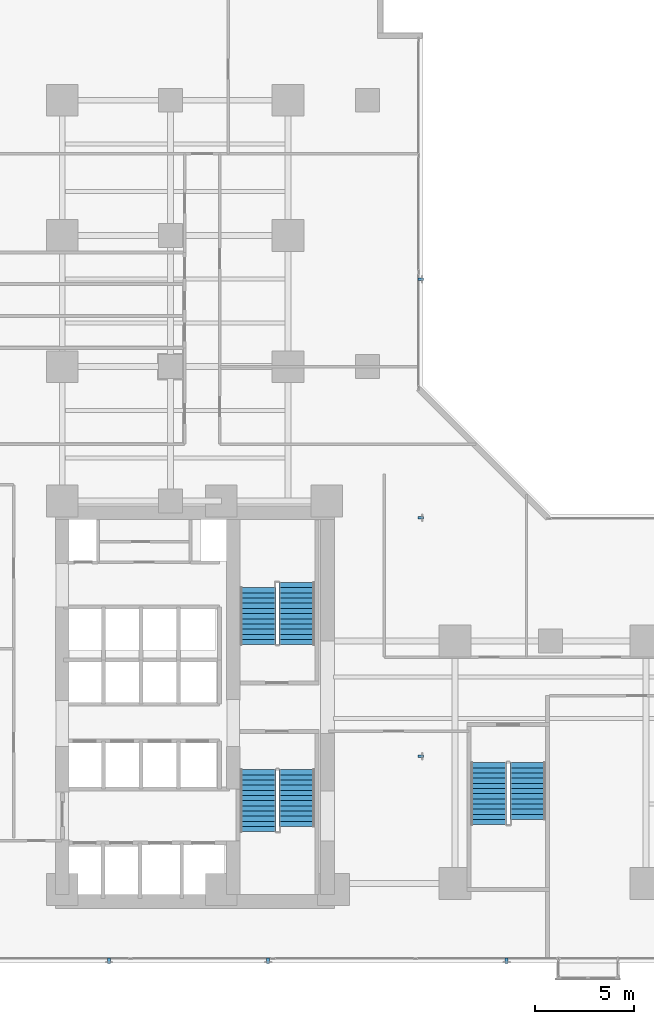
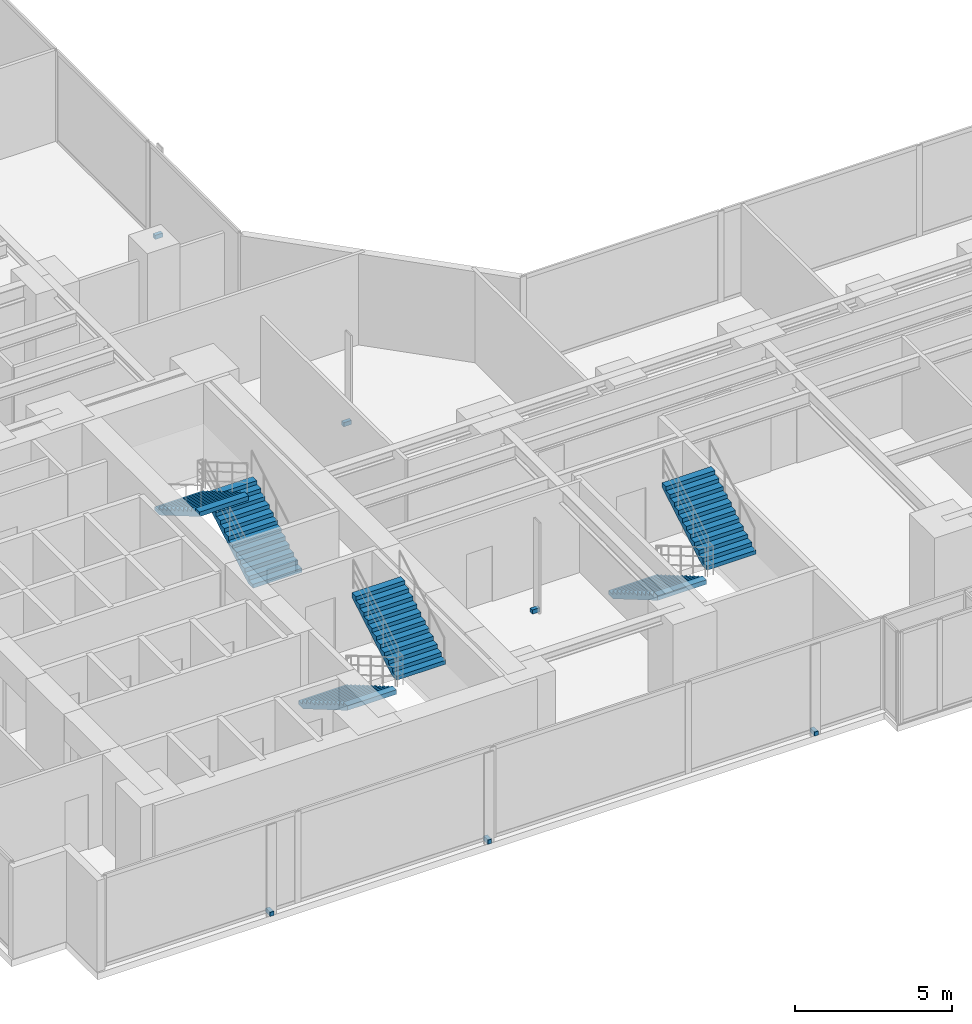
# One storey, part 26 of 30: 6 discrete accessories, 6 stair flights, 3 elements without a shape of their own.
"""IFC4 building model written with IfcOpenShell, lengths in metres."""

import ifcopenshell
import ifcopenshell.guid

model = None  # the IFC model being written
_history = None  # IfcOwnerHistory: only IFC2X3 demands one
_inside = {}  # id of a spatial element -> (the spatial element, [elements in it])
_under = {}  # id of a project, library or spatial element -> (it, [spatial elements below it])
_declared = {}  # id of a project -> (the project, [libraries it declares])
_typed = {}  # id of a type object -> (the type object, [elements of that type])
_made_of = {}  # id of a material, layer set ... -> (it, [elements and type objects made of it])


def new_model(schema):
    """Start an empty IFC model of exactly this schema.

    Asked for "IFC4X3", IfcOpenShell would pick the latest addendum, in which some entities
    have other attributes; the version numbers below select the first issue.
    IFC2X3 requires an IfcOwnerHistory on every rooted entity: one is made here for all.
    """
    global model, _history
    if schema == "IFC4X3":
        model = ifcopenshell.file(schema_version=(4, 3, 0, 0))
    else:
        model = ifcopenshell.file(schema=schema)
    _inside.clear()
    _under.clear()
    _declared.clear()
    _typed.clear()
    _made_of.clear()
    _history = None
    if model.schema == "IFC2X3":
        org = make("IfcOrganization", Name="unknown")
        user = make(
            "IfcPersonAndOrganization",
            ThePerson=make("IfcPerson", FamilyName="unknown"),
            TheOrganization=org,
        )
        app = make(
            "IfcApplication",
            ApplicationDeveloper=org,
            Version="unknown",
            ApplicationFullName="unknown",
            ApplicationIdentifier="unknown",
        )
        _history = make(
            "IfcOwnerHistory",
            OwningUser=user,
            OwningApplication=app,
            ChangeAction="ADDED",
            CreationDate=0,
        )
    return model


def make(cls, **values):
    """One entity of the class cls with the attributes given. An attribute that is None is left unset."""
    return model.create_entity(
        cls, **{name: value for name, value in values.items() if value is not None}
    )


def rooted(cls, **values):
    """An entity with a GlobalId (a new one), such as an element, a storey or a relation."""
    return make(cls, GlobalId=ifcopenshell.guid.new(), OwnerHistory=_history, **values)


def si_unit(unit_type, name, prefix=None):
    """IfcSIUnit, for example si_unit("LENGTHUNIT", "METRE", prefix="MILLI")."""
    return make("IfcSIUnit", UnitType=unit_type, Prefix=prefix, Name=name)


def assignment(units):
    """IfcUnitAssignment: the units of a project."""
    return None if units is None else make("IfcUnitAssignment", Units=units)


def point(xyz):
    """IfcCartesianPoint."""
    return None if xyz is None else make("IfcCartesianPoint", Coordinates=xyz)


def direction(xyz):
    """IfcDirection."""
    return None if xyz is None else make("IfcDirection", DirectionRatios=xyz)


def frame(location, z_axis=None, x_axis=None):
    """IfcAxis2Placement3D, a coordinate frame: its origin and axes. An axis left out is left unset."""
    return make(
        "IfcAxis2Placement3D",
        Location=point(location),
        Axis=direction(z_axis),
        RefDirection=direction(x_axis),
    )


def frame_2d(location, x_axis=None):
    """IfcAxis2Placement2D, a coordinate frame in the plane: its origin and x axis."""
    return make(
        "IfcAxis2Placement2D", Location=point(location), RefDirection=direction(x_axis)
    )


def origin():
    """The frame at (0, 0, 0) with its axes left unset."""
    return frame((0.0, 0.0, 0.0))


def origin_with_axes():
    """The frame at (0, 0, 0) with the z axis (0, 0, 1) and the x axis (1, 0, 0) written out."""
    return frame((0.0, 0.0, 0.0), z_axis=(0.0, 0.0, 1.0), x_axis=(1.0, 0.0, 0.0))


def origin_2d():
    """The frame at (0, 0) in the plane with its x axis left unset."""
    return frame_2d((0.0, 0.0))


def place(relative_to, where):
    """IfcLocalPlacement: puts the frame where relative to a parent placement (None: the world)."""
    return make(
        "IfcLocalPlacement", PlacementRelTo=relative_to, RelativePlacement=where
    )


def context(
    kind, dimensions, precision=None, world=None, true_north=None, identifier=None
):
    """IfcGeometricRepresentationContext, for example the 3D "Model" context."""
    return make(
        "IfcGeometricRepresentationContext",
        ContextIdentifier=identifier,
        ContextType=kind,
        CoordinateSpaceDimension=dimensions,
        Precision=precision,
        WorldCoordinateSystem=world,
        TrueNorth=true_north,
    )


def subcontext(parent, identifier, kind, view, scale=None):
    """IfcGeometricRepresentationSubContext, for example "Body" below "Model"."""
    return make(
        "IfcGeometricRepresentationSubContext",
        ContextIdentifier=identifier,
        ContextType=kind,
        ParentContext=parent,
        TargetScale=scale,
        TargetView=view,
    )


def project(units=None, contexts=None):
    """IfcProject with its units and contexts."""
    return rooted(
        "IfcProject",
        Name="project",
        RepresentationContexts=contexts,
        UnitsInContext=assignment(units),
    )


def spatial(cls, under=None, at=None, **own):
    """A site, building, storey or space (cls), placed at a placement, below another one or the project."""
    s = rooted(cls, ObjectPlacement=at, **own)
    if under is not None:
        _under.setdefault(under.id(), (under, []))[1].append(s)
    return s


def polyline(points):
    """IfcPolyline through the points."""
    return make("IfcPolyline", Points=[point(p) for p in points])


def profile(cls, at=None, kind="AREA", **sizes):
    """A parametric profile (cls). Its sizes go by their IFC names, for example OverallWidth=200.0."""
    return make(cls, ProfileType=kind, Position=at, **sizes)


def rectangle(**sizes):
    """IfcRectangleProfileDef."""
    return profile("IfcRectangleProfileDef", **sizes)


def outline(outer, holes=None, kind="AREA"):
    """IfcArbitraryClosedProfileDef: a profile drawn as a closed curve; with holes, ...WithVoids."""
    if holes is None:
        return make("IfcArbitraryClosedProfileDef", ProfileType=kind, OuterCurve=outer)
    return make(
        "IfcArbitraryProfileDefWithVoids",
        ProfileType=kind,
        OuterCurve=outer,
        InnerCurves=holes,
    )


def extrude(swept, where, along, depth):
    """IfcExtrudedAreaSolid: the profile swept, set in the frame where, extruded along a direction by depth."""
    return make(
        "IfcExtrudedAreaSolid",
        SweptArea=swept,
        Position=where,
        ExtrudedDirection=direction(along),
        Depth=depth,
    )


def shape(context_of_items, identifier, shape_type, items):
    """IfcShapeRepresentation: the items that make up one representation, for example the "Body"."""
    return make(
        "IfcShapeRepresentation",
        ContextOfItems=context_of_items,
        RepresentationIdentifier=identifier,
        RepresentationType=shape_type,
        Items=items,
    )


def source(mapping_origin, context_of_items, identifier, shape_type, items):
    """IfcRepresentationMap: a shape defined once, which mapped items show again and again."""
    return make(
        "IfcRepresentationMap",
        MappingOrigin=mapping_origin,
        MappedRepresentation=shape(context_of_items, identifier, shape_type, items),
    )


def transform(
    local_origin,
    x_axis=None,
    y_axis=None,
    z_axis=None,
    scale=None,
    scale2=None,
    scale3=None,
    uniform=True,
):
    """IfcCartesianTransformationOperator3D, or its non-uniform kind. x_axis, y_axis, z_axis: its Axis1, 2, 3."""
    if uniform:
        return make(
            "IfcCartesianTransformationOperator3D",
            Axis1=direction(x_axis),
            Axis2=direction(y_axis),
            LocalOrigin=point(local_origin),
            Scale=scale,
            Axis3=direction(z_axis),
        )
    return make(
        "IfcCartesianTransformationOperator3DnonUniform",
        Axis1=direction(x_axis),
        Axis2=direction(y_axis),
        LocalOrigin=point(local_origin),
        Scale=scale,
        Axis3=direction(z_axis),
        Scale2=scale2,
        Scale3=scale3,
    )


def mapped(mapping_source, mapping_target):
    """IfcMappedItem: shows the shape of a source again, moved by a transform."""
    return make(
        "IfcMappedItem", MappingSource=mapping_source, MappingTarget=mapping_target
    )


def material(Name=None, Category=None):
    """IfcMaterial."""
    return make("IfcMaterial", Name=Name, Category=Category)


def made_of(thing, what):
    """Note that an element or type object is made of a material, layer set ...; save() writes the relation."""
    if what is not None:
        _made_of.setdefault(what.id(), (what, []))[1].append(thing)
    return thing


def type_object(cls, material=None, **own):
    """A type object (cls), such as IfcWallType, which elements share."""
    return made_of(rooted(cls, **own), material)


def element(
    cls,
    number,
    at=None,
    inside=None,
    cuts=None,
    type_object=None,
    material=None,
    context=None,
    identifier="Body",
    shape_type=None,
    held_by="IfcProductDefinitionShape",
    body=None,
    shapes=None,
    **own,
):
    """One element of the class cls, such as IfcWall. Its Tag is "e" and its number.

    at: its placement. inside: the storey or other place that contains it. cuts: it is an
    opening in that element (IfcRelVoidsElement). A single representation is given by context,
    identifier, shape_type and body (its items); several are given by shapes. held_by: the class
    of the entity that holds the representations. save() writes the other relations.
    """
    e = rooted(cls, Tag="e%d" % number, ObjectPlacement=at, **own)
    if body is not None:
        shapes = [shape(context, identifier, shape_type, body)]
    if shapes is not None:
        e.Representation = make(held_by, Representations=shapes)
    if inside is not None:
        _inside.setdefault(inside.id(), (inside, []))[1].append(e)
    if cuts is not None:
        rooted(
            "IfcRelVoidsElement", RelatingBuildingElement=cuts, RelatedOpeningElement=e
        )
    if type_object is not None:
        _typed.setdefault(type_object.id(), (type_object, []))[1].append(e)
    return made_of(e, material)


def aggregate(whole, parts):
    """IfcRelAggregates: a whole, such as a stair, and the parts it consists of."""
    return rooted("IfcRelAggregates", RelatingObject=whole, RelatedObjects=parts)


def save(model, path):
    """Write the relations noted so far, then the file.

    IfcRelAggregates (storeys below a building ...), IfcRelContainedInSpatialStructure (elements
    in a storey), IfcRelDefinesByType, IfcRelAssociatesMaterial and IfcRelDeclares: one each for
    every whole, place, type object, material and project.
    """
    for whole, parts in _under.values():
        aggregate(whole, parts)
    for where, things in _inside.values():
        rooted(
            "IfcRelContainedInSpatialStructure",
            RelatedElements=things,
            RelatingStructure=where,
        )
    for kind, things in _typed.values():
        rooted("IfcRelDefinesByType", RelatedObjects=things, RelatingType=kind)
    for what, things in _made_of.values():
        rooted("IfcRelAssociatesMaterial", RelatedObjects=things, RelatingMaterial=what)
    for by, libraries in _declared.values():
        rooted("IfcRelDeclares", RelatingContext=by, RelatedDefinitions=libraries)
    model.write(path)


model = new_model("IFC4")

# Units and contexts
model_context = context("Model", 3, precision=1e-05, world=origin(), true_north=direction((0.0, 1.0)))
body_context = subcontext(model_context, "Body", "Model", "MODEL_VIEW")
ifc_project = project(units=[si_unit("LENGTHUNIT", "METRE"), si_unit("AREAUNIT", "SQUARE_METRE"), si_unit("VOLUMEUNIT", "CUBIC_METRE"), si_unit("PLANEANGLEUNIT", "RADIAN"), si_unit("MASSUNIT", "GRAM", prefix="KILO")], contexts=[model_context])

# Site, building, storey
site_placement = place(None, origin())
site = spatial("IfcSite", under=ifc_project, at=site_placement, CompositionType="ELEMENT")
building_placement = place(site_placement, origin())
building = spatial("IfcBuilding", under=site, at=building_placement, Name="Kolvaren Waterfront Exchange", CompositionType="ELEMENT")
storey_placement = place(building_placement, frame((0.0, 0.0, 52.39990234375)))
storey = spatial("IfcBuildingStorey", under=building, at=storey_placement, Name="L13", CompositionType="ELEMENT", Elevation=52.39990234375)

# Stair, stair flights
ifc_material_1 = material(Name="Concrete C40/50", Category="concrete")
stair_type = type_object("IfcStairType", Name="ARC-STAIR-3800", PredefinedType="HALF_TURN_STAIR", material=ifc_material_1)
stair_1_placement = place(storey_placement, origin())
stair_1 = element("IfcStair", 1, at=stair_1_placement, inside=storey, type_object=stair_type, Name="L13 Smoke-proof exit stair ST1", PredefinedType="HALF_TURN_STAIR")
stair_flight_type = type_object("IfcStairFlightType", Name="ARC-FLIGHT-3800", PredefinedType="STRAIGHT", material=ifc_material_1)
stair_flight_1_placement = place(storey_placement, frame((17.300048828125, 10.929931640625, 0.0), z_axis=(0.0, 0.0, 1.0), x_axis=(0.0, -1.0, 0.0)))
stair_flight_1 = element("IfcStairFlight", 2, at=stair_flight_1_placement, type_object=stair_flight_type, Name="ST1 flight 1", NumberOfRisers=13, NumberOfTreads=12, PredefinedType="STRAIGHT", RiserHeight=0.152, TreadLength=0.26, context=body_context, shape_type="SweptSolid", body=[
    extrude(outline(polyline([(0.0, 0.0), (0.0, 0.152099609375), (0.260009765625, 0.152099609375), (0.260009765625, 0.303955078125), (0.52001953125, 0.303955078125), (0.52001953125, 0.4560546875), (0.780029296875, 0.4560546875), (0.780029296875, 0.60791015625), (1.0400390625, 0.60791015625), (1.0400390625, 0.760009765625), (1.300048828125, 0.760009765625), (1.300048828125, 0.912109375), (1.56005859375, 0.912109375), (1.56005859375, 1.06396484375), (1.820068359375, 1.06396484375), (1.820068359375, 1.216064453125), (2.080078125, 1.216064453125), (2.080078125, 1.367919921875), (2.340087890625, 1.367919921875), (2.340087890625, 1.52001953125), (2.60009765625, 1.52001953125), (2.60009765625, 1.672119140625), (2.860107421875, 1.672119140625), (2.860107421875, 1.823974609375), (3.1201171875, 1.823974609375), (3.1201171875, 1.97607421875), (3.1201171875, 1.650390625), (0.297119140625, 0.0), (0.0, 0.0)])), frame((0.0, 0.89990234375, 0.0), z_axis=(0.0, -1.0, 0.0), x_axis=(1.0, 0.0, 0.0)), (0.0, 0.0, 1.0), 1.800048828125),
])
stair_flight_2_placement = place(storey_placement, frame((19.260009765625, 8.070068359375, 1.97607421875), z_axis=(0.0, 0.0, 1.0), x_axis=(0.0, 1.0, 0.0)))
stair_flight_2 = element("IfcStairFlight", 3, at=stair_flight_2_placement, type_object=stair_flight_type, Name="ST1 flight 2", NumberOfRisers=12, NumberOfTreads=11, PredefinedType="STRAIGHT", RiserHeight=0.152, TreadLength=0.26, context=body_context, shape_type="SweptSolid", body=[
    extrude(outline(polyline([(0.0, 0.0), (0.0, 0.152099609375), (0.260009765625, 0.152099609375), (0.260009765625, 0.303955078125), (0.52001953125, 0.303955078125), (0.52001953125, 0.4560546875), (0.780029296875, 0.4560546875), (0.780029296875, 0.60791015625), (1.0400390625, 0.60791015625), (1.0400390625, 0.760009765625), (1.300048828125, 0.760009765625), (1.300048828125, 0.912109375), (1.56005859375, 0.912109375), (1.56005859375, 1.06396484375), (1.820068359375, 1.06396484375), (1.820068359375, 1.216064453125), (2.080078125, 1.216064453125), (2.080078125, 1.367919921875), (2.340087890625, 1.367919921875), (2.340087890625, 1.52001953125), (2.60009765625, 1.52001953125), (2.60009765625, 1.672119140625), (2.860107421875, 1.672119140625), (2.860107421875, 1.823974609375), (2.860107421875, 1.498291015625), (0.297119140625, 0.0), (0.0, 0.0)])), frame((0.0, 0.89990234375, 0.0), z_axis=(0.0, -1.0, 0.0), x_axis=(1.0, 0.0, 0.0)), (0.0, 0.0, 1.0), 1.800048828125),
])
aggregate(stair_1, [stair_flight_1, stair_flight_2])

stair_2_placement = place(storey_placement, origin())
stair_2 = element("IfcStair", 4, at=stair_2_placement, inside=storey, type_object=stair_type, Name="L13 Smoke-proof exit stair ST2", PredefinedType="HALF_TURN_STAIR")
stair_flight_3_placement = place(storey_placement, frame((19.260009765625, 17.219970703125, 0.0), z_axis=(0.0, 0.0, 1.0), x_axis=(0.0, 1.0, 0.0)))
stair_flight_3 = element("IfcStairFlight", 5, at=stair_flight_3_placement, type_object=stair_flight_type, Name="ST2 flight 1", NumberOfRisers=13, NumberOfTreads=12, PredefinedType="STRAIGHT", RiserHeight=0.152, TreadLength=0.26, context=body_context, shape_type="SweptSolid", body=[
    extrude(outline(polyline([(0.0, 0.0), (0.0, 0.152099609375), (0.260009765625, 0.152099609375), (0.260009765625, 0.303955078125), (0.52001953125, 0.303955078125), (0.52001953125, 0.4560546875), (0.780029296875, 0.4560546875), (0.780029296875, 0.60791015625), (1.0400390625, 0.60791015625), (1.0400390625, 0.760009765625), (1.300048828125, 0.760009765625), (1.300048828125, 0.912109375), (1.56005859375, 0.912109375), (1.56005859375, 1.06396484375), (1.820068359375, 1.06396484375), (1.820068359375, 1.216064453125), (2.080078125, 1.216064453125), (2.080078125, 1.367919921875), (2.340087890625, 1.367919921875), (2.340087890625, 1.52001953125), (2.60009765625, 1.52001953125), (2.60009765625, 1.672119140625), (2.860107421875, 1.672119140625), (2.860107421875, 1.823974609375), (3.1201171875, 1.823974609375), (3.1201171875, 1.97607421875), (3.1201171875, 1.650390625), (0.297119140625, 0.0), (0.0, 0.0)])), frame((0.0, 0.89990234375, 0.0), z_axis=(0.0, -1.0, 0.0), x_axis=(1.0, 0.0, 0.0)), (0.0, 0.0, 1.0), 1.800048828125),
])
stair_flight_4_placement = place(storey_placement, frame((17.300048828125, 20.080078125, 1.97607421875), z_axis=(0.0, 0.0, 1.0), x_axis=(0.0, -1.0, 0.0)))
stair_flight_4 = element("IfcStairFlight", 6, at=stair_flight_4_placement, type_object=stair_flight_type, Name="ST2 flight 2", NumberOfRisers=12, NumberOfTreads=11, PredefinedType="STRAIGHT", RiserHeight=0.152, TreadLength=0.26, context=body_context, shape_type="SweptSolid", body=[
    extrude(outline(polyline([(0.0, 0.0), (0.0, 0.152099609375), (0.260009765625, 0.152099609375), (0.260009765625, 0.303955078125), (0.52001953125, 0.303955078125), (0.52001953125, 0.4560546875), (0.780029296875, 0.4560546875), (0.780029296875, 0.60791015625), (1.0400390625, 0.60791015625), (1.0400390625, 0.760009765625), (1.300048828125, 0.760009765625), (1.300048828125, 0.912109375), (1.56005859375, 0.912109375), (1.56005859375, 1.06396484375), (1.820068359375, 1.06396484375), (1.820068359375, 1.216064453125), (2.080078125, 1.216064453125), (2.080078125, 1.367919921875), (2.340087890625, 1.367919921875), (2.340087890625, 1.52001953125), (2.60009765625, 1.52001953125), (2.60009765625, 1.672119140625), (2.860107421875, 1.672119140625), (2.860107421875, 1.823974609375), (2.860107421875, 1.498291015625), (0.297119140625, 0.0), (0.0, 0.0)])), frame((0.0, 0.89990234375, 0.0), z_axis=(0.0, -1.0, 0.0), x_axis=(1.0, 0.0, 0.0)), (0.0, 0.0, 1.0), 1.800048828125),
])
aggregate(stair_2, [stair_flight_3, stair_flight_4])

stair_3_placement = place(storey_placement, origin())
stair_3 = element("IfcStair", 7, at=stair_3_placement, inside=storey, type_object=stair_type, Name="L13 Exit stair ST3", PredefinedType="HALF_TURN_STAIR")
stair_flight_5_placement = place(storey_placement, frame((28.89990234375, 11.280029296875, 0.0), z_axis=(0.0, 0.0, 1.0), x_axis=(0.0, -1.0, 0.0)))
stair_flight_5 = element("IfcStairFlight", 8, at=stair_flight_5_placement, type_object=stair_flight_type, Name="ST3 flight 1", NumberOfRisers=13, NumberOfTreads=12, PredefinedType="STRAIGHT", RiserHeight=0.152, TreadLength=0.26, context=body_context, shape_type="SweptSolid", body=[
    extrude(outline(polyline([(0.0, 0.0), (0.0, 0.152099609375), (0.260009765625, 0.152099609375), (0.260009765625, 0.303955078125), (0.52001953125, 0.303955078125), (0.52001953125, 0.4560546875), (0.780029296875, 0.4560546875), (0.780029296875, 0.60791015625), (1.0400390625, 0.60791015625), (1.0400390625, 0.760009765625), (1.300048828125, 0.760009765625), (1.300048828125, 0.912109375), (1.56005859375, 0.912109375), (1.56005859375, 1.06396484375), (1.820068359375, 1.06396484375), (1.820068359375, 1.216064453125), (2.080078125, 1.216064453125), (2.080078125, 1.367919921875), (2.340087890625, 1.367919921875), (2.340087890625, 1.52001953125), (2.60009765625, 1.52001953125), (2.60009765625, 1.672119140625), (2.860107421875, 1.672119140625), (2.860107421875, 1.823974609375), (3.1201171875, 1.823974609375), (3.1201171875, 1.97607421875), (3.1201171875, 1.650390625), (0.297119140625, 0.0), (0.0, 0.0)])), frame((0.0, 0.89990234375, 0.0), z_axis=(0.0, -1.0, 0.0), x_axis=(1.0, 0.0, 0.0)), (0.0, 0.0, 1.0), 1.800048828125),
])
stair_flight_6_placement = place(storey_placement, frame((30.860107421875, 8.419921875, 1.97607421875), z_axis=(0.0, 0.0, 1.0), x_axis=(0.0, 1.0, 0.0)))
stair_flight_6 = element("IfcStairFlight", 9, at=stair_flight_6_placement, type_object=stair_flight_type, Name="ST3 flight 2", NumberOfRisers=12, NumberOfTreads=11, PredefinedType="STRAIGHT", RiserHeight=0.152, TreadLength=0.26, context=body_context, shape_type="SweptSolid", body=[
    extrude(outline(polyline([(0.0, 0.0), (0.0, 0.152099609375), (0.260009765625, 0.152099609375), (0.260009765625, 0.303955078125), (0.52001953125, 0.303955078125), (0.52001953125, 0.4560546875), (0.780029296875, 0.4560546875), (0.780029296875, 0.60791015625), (1.0400390625, 0.60791015625), (1.0400390625, 0.760009765625), (1.300048828125, 0.760009765625), (1.300048828125, 0.912109375), (1.56005859375, 0.912109375), (1.56005859375, 1.06396484375), (1.820068359375, 1.06396484375), (1.820068359375, 1.216064453125), (2.080078125, 1.216064453125), (2.080078125, 1.367919921875), (2.340087890625, 1.367919921875), (2.340087890625, 1.52001953125), (2.60009765625, 1.52001953125), (2.60009765625, 1.672119140625), (2.860107421875, 1.672119140625), (2.860107421875, 1.823974609375), (2.860107421875, 1.498291015625), (0.297119140625, 0.0), (0.0, 0.0)])), frame((0.0, 0.89990234375, 0.0), z_axis=(0.0, -1.0, 0.0), x_axis=(1.0, 0.0, 0.0)), (0.0, 0.0, 1.0), 1.800048828125),
])
aggregate(stair_3, [stair_flight_5, stair_flight_6])

# Discrete accessories
ifc_material_2 = material(Name="Stainless steel 316", Category="steel")
discrete_accessory_type = type_object("IfcDiscreteAccessoryType", Name="ARC-BRK-FIN", PredefinedType="BRACKET", material=ifc_material_2)
shared_shape = source(origin_with_axes(), body_context, "Body", "SweptSolid", [
    extrude(rectangle(XDim=0.280029296875, YDim=0.139892578125, at=origin_2d()), origin(), (0.0, 0.0, 1.0), 0.159912109375),
])
for number, where, z_axis, x_axis, name in (
    (10, (9.800048828125, 1.320068359375, 0.0), (0.0, 0.0, 1.0), (0.0, -1.0, 0.0), "L13 bronze fin anchor bracket FIN-L13-S1"),
    (11, (17.800048828125, 1.320068359375, 0.0), (0.0, 0.0, 1.0), (0.0, -1.0, 0.0), "L13 bronze fin anchor bracket FIN-L13-S2"),
    (12, (29.800048828125, 1.320068359375, 0.0), (0.0, 0.0, 1.0), (0.0, -1.0, 0.0), "L13 bronze fin anchor bracket FIN-L13-S3"),
    (13, (25.47998046875, 11.60009765625, 0.0), (0.0, 0.0, 1.0), (1.0, 0.0, 0.0), "L13 bronze fin anchor bracket FIN-L13-E1"),
    (14, (25.47998046875, 23.60009765625, 0.0), (0.0, 0.0, 1.0), (1.0, 0.0, 0.0), "L13 bronze fin anchor bracket FIN-L13-E2"),
    (15, (25.47998046875, 35.60009765625, 0.0), (0.0, 0.0, 1.0), (1.0, 0.0, 0.0), "L13 bronze fin anchor bracket FIN-L13-E3"),
):
    element("IfcDiscreteAccessory", number, at=place(storey_placement, frame(where, z_axis=z_axis, x_axis=x_axis)), inside=storey, type_object=discrete_accessory_type, Name=name, PredefinedType="BRACKET", context=body_context, shape_type="MappedRepresentation", body=[
        mapped(shared_shape, transform((0.0, 0.0, 0.0), x_axis=(1.0, 0.0, 0.0), y_axis=(0.0, 1.0, 0.0), z_axis=(0.0, 0.0, 1.0), scale=1.0)),
    ])

save(model, "model.ifc")
